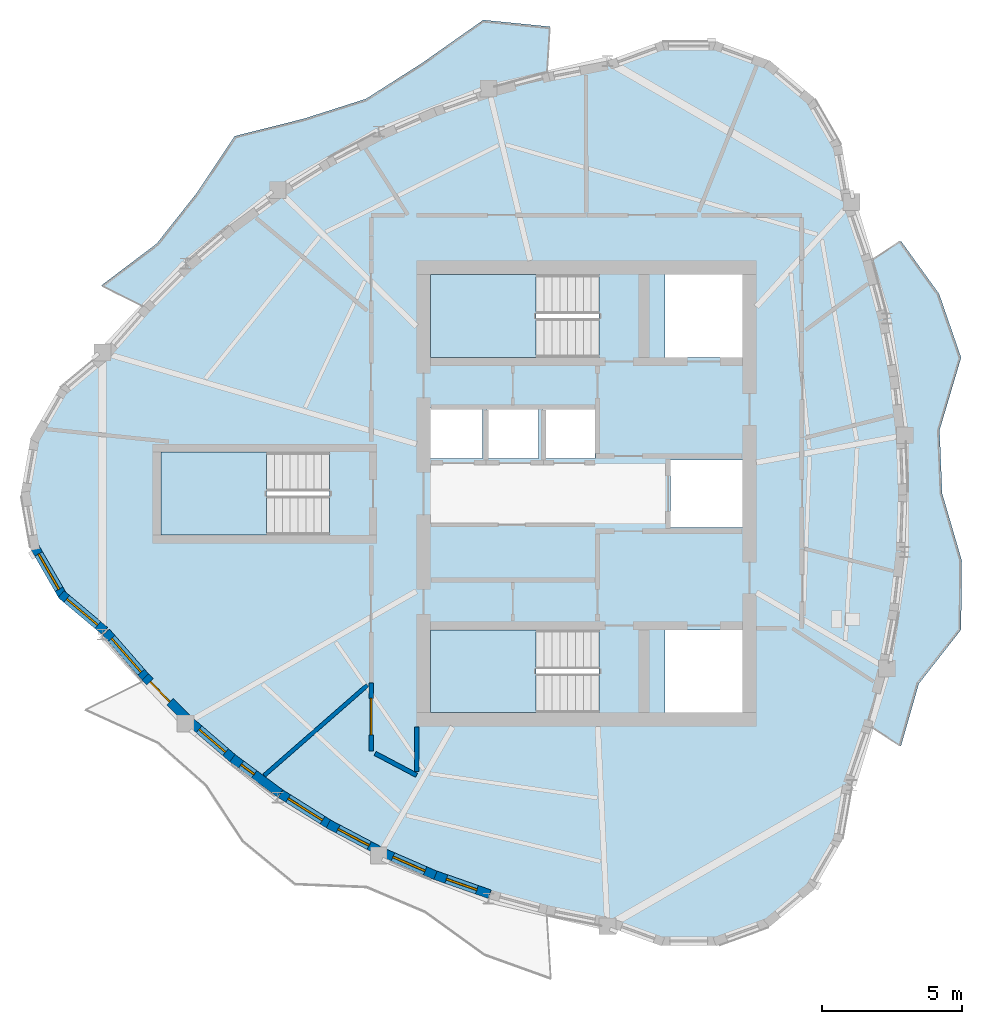
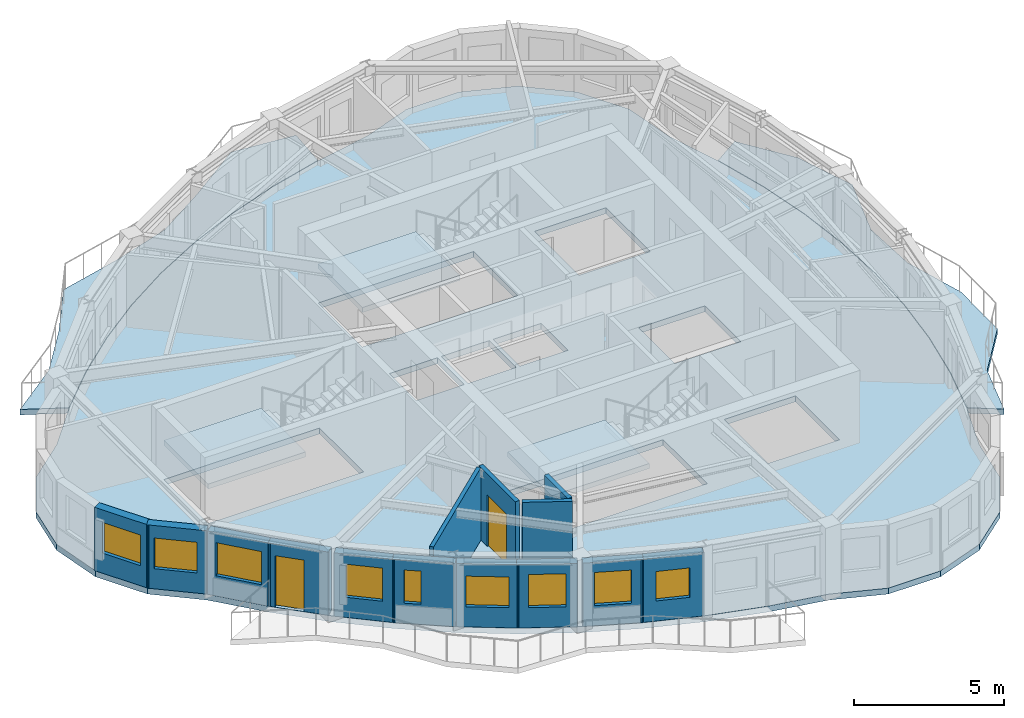
# One storey, part 2 of 11: 14 walls, 9 windows, 6 slabs, 2 doors, 11 openings, 3 elements without a shape of their own.
"""IFC4 building model written with IfcOpenShell, lengths in metres."""

from ifc_helpers import new_model, si_unit, direction, frame, frame_2d, origin, place, context, subcontext, project, spatial, polyline, rectangle, outline, extrude, source, transform, mapped, material, layer, layer_set, type_object, element, fill, aggregate, save


model = new_model("IFC4")

# Units and contexts
model_context = context("Model", 3, precision=1e-05, world=origin(), true_north=direction((0.0, 1.0)))
body_context = subcontext(model_context, "Body", "Model", "MODEL_VIEW")
ifc_project = project(units=[si_unit("LENGTHUNIT", "METRE"), si_unit("AREAUNIT", "SQUARE_METRE"), si_unit("VOLUMEUNIT", "CUBIC_METRE"), si_unit("PLANEANGLEUNIT", "RADIAN"), si_unit("MASSUNIT", "GRAM", prefix="KILO")], contexts=[model_context])

# Site, building, storey
site_placement = place(None, origin())
site = spatial("IfcSite", under=ifc_project, at=site_placement, CompositionType="ELEMENT")
building_placement = place(site_placement, origin())
building = spatial("IfcBuilding", under=site, at=building_placement, Name="Qafzar Sky-Pleat Residences", CompositionType="ELEMENT")
storey_placement = place(building_placement, frame((0.0, 0.0, 234.0)))
storey = spatial("IfcBuildingStorey", under=building, at=storey_placement, Name="L70", CompositionType="ELEMENT", Elevation=234.0)

# Slabs
ifc_material_1 = material(Name="Concrete C40/50", Category="concrete")
ifc_layer_1 = layer(ifc_material_1, 0.219970703125)
ifc_layer_set_1 = layer_set([ifc_layer_1], Name="Concrete C40/50")
slab_type_1 = type_object("IfcSlabType", Name="SLAB-BAL-220", PredefinedType="USERDEFINED", material=ifc_layer_set_1)
slab_1_placement = place(storey_placement, frame((0.0, 0.0, -0.219970703125)))
element("IfcSlab", 1, at=slab_1_placement, inside=storey, type_object=slab_type_1, Name="L70 Pleated Stone Balcony 1", ObjectType="BALCONY", PredefinedType="USERDEFINED", context=body_context, shape_type="SweptSolid", body=[
    extrude(outline(polyline([(41.068603515625, 19.7646484375), (41.463623046875, 21.843017578125), (41.700927734375, 23.92138671875), (41.77978515625, 26.0), (41.700927734375, 28.07861328125), (41.463623046875, 30.156982421875), (41.068603515625, 32.2353515625), (40.51513671875, 34.3134765625), (41.54638671875, 34.99853515625), (42.907958984375, 33.113037109375), (43.690673828125, 30.8447265625), (42.9248046875, 28.26416015625), (43.017822265625, 26.0), (43.7158203125, 23.61572265625), (43.690673828125, 21.1552734375), (42.185791015625, 19.2314453125), (41.54638671875, 17.00146484375), (40.51513671875, 17.6865234375), (41.068603515625, 19.7646484375)])), origin(), (0.0, 0.0, 1.0), 0.219970703125),
])
slab_2_placement = place(storey_placement, frame((0.0, 0.0, -0.219970703125)))
element("IfcSlab", 2, at=slab_2_placement, inside=storey, type_object=slab_type_1, Name="L70 Pleated Stone Balcony 2", ObjectType="BALCONY", PredefinedType="USERDEFINED", context=body_context, shape_type="SweptSolid", body=[
    extrude(outline(polyline([(26.86572265625, 40.435302734375), (24.8681640625, 39.73828125), (22.94970703125, 38.904541015625), (21.110107421875, 37.93359375), (19.349609375, 36.825927734375), (17.668212890625, 35.581298828125), (16.06591796875, 34.199951171875), (14.542724609375, 32.681640625), (13.075439453125, 33.41015625), (15.04541015625, 34.901123046875), (16.467041015625, 36.6953125), (17.82763671875, 38.730712890625), (20.291015625, 39.352294921875), (22.498291015625, 40.057373046875), (24.504150390625, 41.33544921875), (26.6748046875, 42.865966796875), (29.044921875, 42.630126953125), (28.942138671875, 40.995361328125), (26.86572265625, 40.435302734375)])), origin(), (0.0, 0.0, 1.0), 0.219970703125),
])
ifc_layer_2 = layer(ifc_material_1, 0.239990234375)
ifc_layer_set_2 = layer_set([ifc_layer_2], Name="Concrete C40/50")
slab_type_2 = type_object("IfcSlabType", Name="SLAB-FLR-240", PredefinedType="FLOOR", material=ifc_layer_set_2)
slab_3_placement = place(storey_placement, frame((0.0, 0.0, -0.239990234375)))
element("IfcSlab", 3, at=slab_3_placement, inside=storey, type_object=slab_type_2, Name="L70 Structural Floor Slab", PredefinedType="FLOOR", context=body_context, shape_type="SweptSolid", body=[
    extrude(outline(polyline([(13.110107421875, 31.02294921875), (11.56689453125, 29.728271484375), (10.559814453125, 27.983642578125), (10.2099609375, 26.0), (10.559814453125, 24.016357421875), (11.56689453125, 22.271728515625), (13.110107421875, 20.97705078125), (14.553466796875, 19.323486328125), (16.07568359375, 17.806884765625), (17.677001953125, 16.4267578125), (19.35693359375, 15.183349609375), (21.1162109375, 14.07666015625), (22.9541015625, 13.106689453125), (24.870849609375, 12.273193359375), (26.86669921875, 11.57666015625), (28.94140625, 11.0166015625), (31.094970703125, 10.593505859375), (32.98779296875, 9.904541015625), (35.002197265625, 9.904541015625), (36.89501953125, 10.593505859375), (38.43798828125, 11.88818359375), (39.4453125, 13.632568359375), (39.794921875, 15.616455078125), (40.505126953125, 17.693115234375), (41.0576171875, 19.769775390625), (41.4521484375, 21.846435546875), (41.68896484375, 23.92333984375), (41.767822265625, 26.0), (41.68896484375, 28.07666015625), (41.4521484375, 30.153564453125), (41.0576171875, 32.230224609375), (40.505126953125, 34.306884765625), (39.794921875, 36.383544921875), (39.4453125, 38.367431640625), (38.43798828125, 40.11181640625), (36.89501953125, 41.406494140625), (35.002197265625, 42.095458984375), (32.98779296875, 42.095458984375), (31.094970703125, 41.406494140625), (28.94140625, 40.9833984375), (26.86669921875, 40.42333984375), (24.870849609375, 39.726806640625), (22.9541015625, 38.893310546875), (21.1162109375, 37.92333984375), (19.35693359375, 36.816650390625), (17.677001953125, 35.5732421875), (16.07568359375, 34.193115234375), (14.553466796875, 32.676513671875), (13.110107421875, 31.02294921875)]), holes=[polyline([(30.797119140625, 21.14990234375), (24.800048828125, 21.14990234375), (24.800048828125, 18.199951171875), (30.797119140625, 18.199951171875), (30.797119140625, 21.14990234375)]), polyline([(30.797119140625, 33.800048828125), (24.800048828125, 33.800048828125), (24.800048828125, 30.85009765625), (30.797119140625, 30.85009765625), (30.797119140625, 33.800048828125)]), polyline([(21.197021484375, 27.47509765625), (15.199951171875, 27.47509765625), (15.199951171875, 24.52490234375), (21.197021484375, 24.52490234375), (21.197021484375, 27.47509765625)]), polyline([(24.800048828125, 27.25), (26.64990234375, 27.25), (26.64990234375, 29.050048828125), (24.800048828125, 29.050048828125), (24.800048828125, 27.25)]), polyline([(26.800048828125, 27.25), (28.64990234375, 27.25), (28.64990234375, 29.050048828125), (26.800048828125, 29.050048828125), (26.800048828125, 27.25)]), polyline([(28.800048828125, 27.25), (30.64990234375, 27.25), (30.64990234375, 29.050048828125), (28.800048828125, 29.050048828125), (28.800048828125, 27.25)]), polyline([(33.14990234375, 18.199951171875), (35.89990234375, 18.199951171875), (35.89990234375, 21.14990234375), (33.14990234375, 21.14990234375), (33.14990234375, 18.199951171875)]), polyline([(33.14990234375, 30.85009765625), (35.89990234375, 30.85009765625), (35.89990234375, 33.800048828125), (33.14990234375, 33.800048828125), (33.14990234375, 30.85009765625)]), polyline([(33.35009765625, 24.800048828125), (35.89990234375, 24.800048828125), (35.89990234375, 27.199951171875), (33.35009765625, 27.199951171875), (33.35009765625, 24.800048828125)])]), origin(), (0.0, 0.0, 1.0), 0.239990234375),
])

# Stair, slab
stair_type = type_object("IfcStairType", Name="STAIR-H320", PredefinedType="HALF_TURN_STAIR", material=ifc_material_1)
stair_1_placement = place(storey_placement, origin())
stair_1 = element("IfcStair", 4, at=stair_1_placement, inside=storey, type_object=stair_type, Name="L70 Protected Exit Stair ST1", PredefinedType="HALF_TURN_STAIR")
ifc_layer_3 = layer(ifc_material_1, 0.199951171875)
ifc_layer_set_3 = layer_set([ifc_layer_3], Name="Concrete C40/50")
slab_type_3 = type_object("IfcSlabType", Name="SLAB-LANDING-200", PredefinedType="LANDING", material=ifc_layer_set_3)
slab_4_placement = place(storey_placement, frame((0.0, 0.0, 1.39990234375)))
slab_4 = element("IfcSlab", 5, at=slab_4_placement, type_object=slab_type_3, Name="ST1 landing 1", PredefinedType="LANDING", context=body_context, shape_type="SweptSolid", body=[
    extrude(outline(polyline([(28.56005859375, 21.14990234375), (24.800048828125, 21.14990234375), (24.800048828125, 18.199951171875), (28.56005859375, 18.199951171875), (28.56005859375, 21.14990234375)])), origin(), (0.0, 0.0, 1.0), 0.2001953125),
])
aggregate(stair_1, [slab_4])

stair_2_placement = place(storey_placement, origin())
stair_2 = element("IfcStair", 6, at=stair_2_placement, inside=storey, type_object=stair_type, Name="L70 Protected Exit Stair ST2", PredefinedType="HALF_TURN_STAIR")
slab_5_placement = place(storey_placement, frame((0.0, 0.0, 1.39990234375)))
slab_5 = element("IfcSlab", 7, at=slab_5_placement, type_object=slab_type_3, Name="ST2 landing 1", PredefinedType="LANDING", context=body_context, shape_type="SweptSolid", body=[
    extrude(outline(polyline([(28.56005859375, 33.800048828125), (24.800048828125, 33.800048828125), (24.800048828125, 30.85009765625), (28.56005859375, 30.85009765625), (28.56005859375, 33.800048828125)])), origin(), (0.0, 0.0, 1.0), 0.2001953125),
])
aggregate(stair_2, [slab_5])

stair_3_placement = place(storey_placement, origin())
stair_3 = element("IfcStair", 8, at=stair_3_placement, inside=storey, type_object=stair_type, Name="L70 Protected Exit Stair ST3", PredefinedType="HALF_TURN_STAIR")
slab_6_placement = place(storey_placement, frame((0.0, 0.0, 1.39990234375)))
slab_6 = element("IfcSlab", 9, at=slab_6_placement, type_object=slab_type_3, Name="ST3 landing 1", PredefinedType="LANDING", context=body_context, shape_type="SweptSolid", body=[
    extrude(outline(polyline([(18.9599609375, 27.47509765625), (15.199951171875, 27.47509765625), (15.199951171875, 24.52490234375), (18.9599609375, 24.52490234375), (18.9599609375, 27.47509765625)])), origin(), (0.0, 0.0, 1.0), 0.2001953125),
])
aggregate(stair_3, [slab_6])

# Wall, opening, door
ifc_material_2 = material(Name="Acoustic gypsum plasterboard partition", Category="gypsum")
ifc_layer_4 = layer(ifc_material_2, 0.159912109375)
ifc_layer_set_4 = layer_set([ifc_layer_4], Name="Acoustic gypsum plasterboard partition")
wall_type_1 = type_object("IfcWallType", Name="PART-COR-160", PredefinedType="PARTITIONING", material=ifc_layer_set_4)
wall_1_placement = place(storey_placement, frame((22.679931640625, 19.256103515625, 0.0), z_axis=(0.0, 0.0, 1.0), x_axis=(0.0, -1.0, 0.0)))
wall_1 = element("IfcWall", 10, at=wall_1_placement, inside=storey, type_object=wall_type_1, Name="L70 Partition Wall PART-L70-PW-009", PredefinedType="PARTITIONING", context=body_context, shape_type="SweptSolid", body=[
    extrude(rectangle(XDim=2.43017578125, YDim=0.159912109375, at=frame_2d((1.215087890625, 0.0))), origin(), (0.0, 0.0, 1.0), 2.9599609375),
])
opening_1_placement = place(wall_1_placement, frame((0.547607421875, 0.0, 0.0)))
opening_1 = element("IfcOpeningElement", 11, at=opening_1_placement, cuts=wall_1, Name="Opening ID-05", PredefinedType="OPENING", context=body_context, shape_type="SweptSolid", body=[
    extrude(rectangle(XDim=1.300048828125, YDim=2.10009765625, at=frame_2d((0.64990234375, 1.050048828125))), frame((0.0, 0.08984375, 0.0), z_axis=(0.0, -1.0, 0.0), x_axis=(1.0, 0.0, 0.0)), (0.0, 0.0, 1.0), 0.179931640625),
])
ifc_material_3 = material(Name="Timber-faced fire door", Category="wood")
door_type_1 = type_object("IfcDoorType", Name="DR-LNG-1300", OperationType="DOUBLE_DOOR_SINGLE_SWING", PredefinedType="DOOR", material=ifc_material_3)
shared_shape_1 = source(origin(), body_context, "Body", "SweptSolid", [
    extrude(rectangle(XDim=1.300048828125, YDim=2.10009765625, at=frame_2d((0.64990234375, 1.050048828125))), frame((0.0, 0.02490234375, 0.0), z_axis=(0.0, -1.0, 0.0), x_axis=(1.0, 0.0, 0.0)), (0.0, 0.0, 1.0), 0.050048828125),
])
door_1_placement = place(opening_1_placement, origin())
door_1 = element("IfcDoor", 12, at=door_1_placement, inside=storey, type_object=door_type_1, Name="L70 Academic Seminar Room Door", OperationType="DOUBLE_DOOR_SINGLE_SWING", OverallHeight=2.10009765625, OverallWidth=1.300048828125, PredefinedType="DOOR", context=body_context, shape_type="MappedRepresentation", body=[
    mapped(shared_shape_1, transform((0.0, 0.0, 0.0), x_axis=(1.0, 0.0, 0.0), y_axis=(0.0, 1.0, 0.0), z_axis=(0.0, 0.0, 1.0), scale=1.0)),
])
fill(opening_1, door_1)

# Walls
wall_2_placement = place(storey_placement, frame((22.8212890625, 16.749267578125, 0.0), z_axis=(0.0, 0.0, 1.0), x_axis=(0.884429955183, -0.466672962979, 0.0)))
element("IfcWall", 13, at=wall_2_placement, inside=storey, type_object=wall_type_1, Name="L70 Partition Wall PART-L70-PW-022", PredefinedType="PARTITIONING", context=body_context, shape_type="SweptSolid", body=[
    extrude(rectangle(XDim=1.671875, YDim=0.159912109375, at=frame_2d((0.8359375, 0.0))), origin(), (0.0, 0.0, 1.0), 2.9599609375),
])
wall_3_placement = place(storey_placement, frame((24.300048828125, 16.109619140625, 0.0), z_axis=(0.0, 0.0, 1.0), x_axis=(0.0, 1.0, 0.0)))
element("IfcWall", 14, at=wall_3_placement, inside=storey, type_object=wall_type_1, Name="L70 Partition Wall PART-L70-PW-023", PredefinedType="PARTITIONING", context=body_context, shape_type="SweptSolid", body=[
    extrude(rectangle(XDim=1.582275390625, YDim=0.159912109375, at=frame_2d((0.791015625, 0.0))), origin(), (0.0, 0.0, 1.0), 2.9599609375),
])
ifc_layer_5 = layer(ifc_material_2, 0.14501953125)
ifc_layer_set_5 = layer_set([ifc_layer_5], Name="Acoustic gypsum plasterboard partition")
wall_type_2 = type_object("IfcWallType", Name="PART-UNIT-145", PredefinedType="PARTITIONING", material=ifc_layer_set_5)
wall_4_placement = place(storey_placement, frame((18.87744140625, 15.96533203125, 0.0), z_axis=(0.0, 0.0, 1.0), x_axis=(0.752716311779, 0.65834501136, 0.0)))
element("IfcWall", 15, at=wall_4_placement, inside=storey, type_object=wall_type_2, Name="L70 Partition Wall PART-L70-PW-013", PredefinedType="PARTITIONING", context=body_context, shape_type="SweptSolid", body=[
    extrude(rectangle(XDim=4.8740234375, YDim=0.14501953125, at=frame_2d((2.43701171875, 0.0))), origin(), (0.0, 0.0, 1.0), 2.9599609375),
])

# Wall, opening, window
ifc_material_4 = material(Name="Precast concrete C40/50 with honed Riyadh limestone", Category="concrete")
ifc_layer_6 = layer(ifc_material_4, 0.320068359375)
ifc_layer_set_6 = layer_set([ifc_layer_6], Name="Precast concrete C40/50 with honed Riyadh limestone")
wall_type_3 = type_object("IfcWallType", Name="WALL-EXT-320", PredefinedType="SOLIDWALL", material=ifc_layer_set_6)
wall_5_placement = place(storey_placement, frame((10.679443359375, 24.129150390625, 0.0), z_axis=(0.0, 0.0, 1.0), x_axis=(0.499995423472, -0.866028046028, 0.0)))
wall_5 = element("IfcWall", 16, at=wall_5_placement, inside=storey, type_object=wall_type_3, Name="L70 Limestone Facade Wall 5", PredefinedType="SOLIDWALL", context=body_context, shape_type="SweptSolid", body=[
    extrude(rectangle(XDim=2.09033203125, YDim=0.320068359375, at=frame_2d((1.045166015625, 0.0))), origin(), (0.0, 0.0, 1.0), 2.580078125),
])
opening_2_placement = place(wall_5_placement, frame((0.3203125, 0.0, 0.820068359375)))
opening_2 = element("IfcOpeningElement", 17, at=opening_2_placement, cuts=wall_5, Name="Opening WN-15", PredefinedType="OPENING", context=body_context, shape_type="SweptSolid", body=[
    extrude(rectangle(XDim=1.449951171875, YDim=1.25, at=frame_2d((0.72509765625, 0.625))), frame((0.0, 0.169921875, 0.0), z_axis=(0.0, -1.0, 0.0), x_axis=(1.0, 0.0, 0.0)), (0.0, 0.0, 1.0), 0.340087890625),
])
ifc_material_5 = material(Name="Solar-control low-E glass in bronze aluminium frame", Category="glass")
window_type_1 = type_object("IfcWindowType", Name="WIN-15", PartitioningType="SINGLE_PANEL", PredefinedType="WINDOW", material=ifc_material_5)
shared_shape_2 = source(origin(), body_context, "Body", "SweptSolid", [
    extrude(rectangle(XDim=1.449951171875, YDim=1.25, at=frame_2d((0.72509765625, 0.625))), frame((0.0, 0.030029296875, 0.0), z_axis=(0.0, -1.0, 0.0), x_axis=(1.0, 0.0, 0.0)), (0.0, 0.0, 1.0), 0.06005859375),
])
window_1_placement = place(opening_2_placement, origin())
window_1 = element("IfcWindow", 18, at=window_1_placement, inside=storey, type_object=window_type_1, Name="L70 Punched Facade Window 05", OverallHeight=1.25, OverallWidth=1.449951171875, PartitioningType="SINGLE_PANEL", PredefinedType="WINDOW", context=body_context, shape_type="MappedRepresentation", body=[
    mapped(shared_shape_2, transform((0.0, 0.0, 0.0), x_axis=(1.0, 0.0, 0.0), y_axis=(0.0, 1.0, 0.0), z_axis=(0.0, 0.0, 1.0), scale=1.0)),
])
fill(opening_2, window_1)

wall_6_placement = place(storey_placement, frame((11.640625, 22.418701171875, 0.0), z_axis=(0.0, 0.0, 1.0), x_axis=(0.766099948115, -0.642721455608, 0.0)))
wall_6 = element("IfcWall", 19, at=wall_6_placement, inside=storey, type_object=wall_type_3, Name="L70 Limestone Facade Wall 6", PredefinedType="SOLIDWALL", context=body_context, shape_type="SweptSolid", body=[
    extrude(rectangle(XDim=2.0322265625, YDim=0.320068359375, at=frame_2d((1.01611328125, 0.0))), origin(), (0.0, 0.0, 1.0), 2.580078125),
])
opening_3_placement = place(wall_6_placement, frame((0.26123046875, 0.0, 0.820068359375)))
opening_3 = element("IfcOpeningElement", 20, at=opening_3_placement, cuts=wall_6, Name="Opening WN-15", PredefinedType="OPENING", context=body_context, shape_type="SweptSolid", body=[
    extrude(rectangle(XDim=1.449951171875, YDim=1.25, at=frame_2d((0.72509765625, 0.625))), frame((0.0, 0.169921875, 0.0), z_axis=(0.0, -1.0, 0.0), x_axis=(1.0, 0.0, 0.0)), (0.0, 0.0, 1.0), 0.340087890625),
])
window_2_placement = place(opening_3_placement, origin())
window_2 = element("IfcWindow", 21, at=window_2_placement, inside=storey, type_object=window_type_1, Name="L70 Punched Facade Window 06", OverallHeight=1.25, OverallWidth=1.449951171875, PartitioningType="SINGLE_PANEL", PredefinedType="WINDOW", context=body_context, shape_type="MappedRepresentation", body=[
    mapped(shared_shape_2, transform((0.0, 0.0, 0.0), x_axis=(1.0, 0.0, 0.0), y_axis=(0.0, 1.0, 0.0), z_axis=(0.0, 0.0, 1.0), scale=1.0)),
])
fill(opening_3, window_2)

wall_7_placement = place(storey_placement, frame((13.24365234375, 21.0673828125, 0.0), z_axis=(0.0, 0.0, 1.0), x_axis=(0.657605974143, -0.753362052914, 0.0)))
wall_7 = element("IfcWall", 22, at=wall_7_placement, inside=storey, type_object=wall_type_3, Name="L70 Limestone Facade Wall 7", PredefinedType="SOLIDWALL", context=body_context, shape_type="SweptSolid", body=[
    extrude(rectangle(XDim=2.213134765625, YDim=0.320068359375, at=frame_2d((1.1064453125, 0.0))), origin(), (0.0, 0.0, 1.0), 2.580078125),
])
opening_4_placement = place(wall_7_placement, frame((0.29638671875, 0.0, 0.820068359375)))
opening_4 = element("IfcOpeningElement", 23, at=opening_4_placement, cuts=wall_7, Name="Opening WN-09", PredefinedType="OPENING", context=body_context, shape_type="SweptSolid", body=[
    extrude(rectangle(XDim=1.60009765625, YDim=1.35009765625, at=frame_2d((0.800048828125, 0.675048828125))), frame((0.0, 0.169921875, 0.0), z_axis=(0.0, -1.0, 0.0), x_axis=(1.0, 0.0, 0.0)), (0.0, 0.0, 1.0), 0.340087890625),
])
window_type_2 = type_object("IfcWindowType", Name="WIN-09", PartitioningType="DOUBLE_PANEL_VERTICAL", PredefinedType="WINDOW", material=ifc_material_5)
shared_shape_3 = source(origin(), body_context, "Body", "SweptSolid", [
    extrude(rectangle(XDim=1.60009765625, YDim=1.35009765625, at=frame_2d((0.800048828125, 0.675048828125))), frame((0.0, 0.030029296875, 0.0), z_axis=(0.0, -1.0, 0.0), x_axis=(1.0, 0.0, 0.0)), (0.0, 0.0, 1.0), 0.06005859375),
])
window_3_placement = place(opening_4_placement, origin())
window_3 = element("IfcWindow", 24, at=window_3_placement, inside=storey, type_object=window_type_2, Name="L70 Punched Facade Window 07", OverallHeight=1.35009765625, OverallWidth=1.60009765625, PartitioningType="SINGLE_PANEL", PredefinedType="WINDOW", context=body_context, shape_type="MappedRepresentation", body=[
    mapped(shared_shape_3, transform((0.0, 0.0, 0.0), x_axis=(1.0, 0.0, 0.0), y_axis=(0.0, 1.0, 0.0), z_axis=(0.0, 0.0, 1.0), scale=1.0)),
])
fill(opening_4, window_3)

# Wall, opening, door
wall_8_placement = place(storey_placement, frame((14.639404296875, 19.4638671875, 0.0), z_axis=(0.0, 0.0, 1.0), x_axis=(0.708386188287, -0.705825054985, 0.0)))
wall_8 = element("IfcWall", 25, at=wall_8_placement, inside=storey, type_object=wall_type_3, Name="L70 Limestone Facade Wall 8", PredefinedType="SOLIDWALL", context=body_context, shape_type="SweptSolid", body=[
    extrude(rectangle(XDim=2.09716796875, YDim=0.320068359375, at=frame_2d((1.048583984375, 0.0))), origin(), (0.0, 0.0, 1.0), 2.580078125),
])
opening_5_placement = place(wall_8_placement, frame((0.239990234375, 0.0, 0.0)))
opening_5 = element("IfcOpeningElement", 26, at=opening_5_placement, cuts=wall_8, Name="Opening ED-05", PredefinedType="OPENING", context=body_context, shape_type="SweptSolid", body=[
    extrude(rectangle(XDim=1.0, YDim=2.10009765625, at=frame_2d((0.5, 1.050048828125))), frame((0.0, 0.169921875, 0.0), z_axis=(0.0, -1.0, 0.0), x_axis=(1.0, 0.0, 0.0)), (0.0, 0.0, 1.0), 0.340087890625),
])
ifc_material_6 = material(Name="Glazed bronze aluminium door", Category="aluminium")
door_type_2 = type_object("IfcDoorType", Name="DR-BAL-1000", OperationType="NOTDEFINED", PredefinedType="DOOR", material=ifc_material_6)
shared_shape_4 = source(origin(), body_context, "Body", "SweptSolid", [
    extrude(rectangle(XDim=1.0, YDim=2.10009765625, at=frame_2d((0.5, 1.050048828125))), frame((0.0, 0.02490234375, 0.0), z_axis=(0.0, -1.0, 0.0), x_axis=(1.0, 0.0, 0.0)), (0.0, 0.0, 1.0), 0.050048828125),
])
door_2_placement = place(opening_5_placement, origin())
door_2 = element("IfcDoor", 27, at=door_2_placement, inside=storey, type_object=door_type_2, Name="L70 Glazed Balcony Door 3", OperationType="SINGLE_SWING_LEFT", OverallHeight=2.10009765625, OverallWidth=1.0, PredefinedType="DOOR", context=body_context, shape_type="MappedRepresentation", body=[
    mapped(shared_shape_4, transform((0.0, 0.0, 0.0), x_axis=(1.0, 0.0, 0.0), y_axis=(0.0, 1.0, 0.0), z_axis=(0.0, 0.0, 1.0), scale=1.0)),
])
fill(opening_5, door_2)

# Wall, opening, window
wall_9_placement = place(storey_placement, frame((16.248291015625, 17.869140625, 0.0), z_axis=(0.0, 0.0, 1.0), x_axis=(0.757506883098, -0.652827176257, 0.0)))
wall_9 = element("IfcWall", 28, at=wall_9_placement, inside=storey, type_object=wall_type_3, Name="L70 Limestone Facade Wall 9", PredefinedType="SOLIDWALL", context=body_context, shape_type="SweptSolid", body=[
    extrude(rectangle(XDim=2.061767578125, YDim=0.320068359375, at=frame_2d((1.03076171875, 0.0))), origin(), (0.0, 0.0, 1.0), 2.580078125),
])
opening_6_placement = place(wall_9_placement, frame((0.40087890625, 0.0, 0.820068359375)))
opening_6 = element("IfcOpeningElement", 29, at=opening_6_placement, cuts=wall_9, Name="Opening WN-11", PredefinedType="OPENING", context=body_context, shape_type="SweptSolid", body=[
    extrude(rectangle(XDim=1.25, YDim=1.35009765625, at=frame_2d((0.625, 0.675048828125))), frame((0.0, 0.169921875, 0.0), z_axis=(0.0, -1.0, 0.0), x_axis=(1.0, 0.0, 0.0)), (0.0, 0.0, 1.0), 0.340087890625),
])
window_type_3 = type_object("IfcWindowType", Name="WIN-11", PartitioningType="SINGLE_PANEL", PredefinedType="WINDOW", material=ifc_material_5)
shared_shape_5 = source(origin(), body_context, "Body", "SweptSolid", [
    extrude(rectangle(XDim=1.25, YDim=1.35009765625, at=frame_2d((0.625, 0.675048828125))), frame((0.0, 0.030029296875, 0.0), z_axis=(0.0, -1.0, 0.0), x_axis=(1.0, 0.0, 0.0)), (0.0, 0.0, 1.0), 0.06005859375),
])
window_4_placement = place(opening_6_placement, origin())
window_4 = element("IfcWindow", 30, at=window_4_placement, inside=storey, type_object=window_type_3, Name="L70 Punched Facade Window 09", OverallHeight=1.35009765625, OverallWidth=1.25, PartitioningType="SINGLE_PANEL", PredefinedType="WINDOW", context=body_context, shape_type="MappedRepresentation", body=[
    mapped(shared_shape_5, transform((0.0, 0.0, 0.0), x_axis=(1.0, 0.0, 0.0), y_axis=(0.0, 1.0, 0.0), z_axis=(0.0, 0.0, 1.0), scale=1.0)),
])
fill(opening_6, window_4)

wall_10_placement = place(storey_placement, frame((17.741455078125, 16.577880859375, 0.0), z_axis=(0.0, 0.0, 1.0), x_axis=(0.803860727082, -0.594817561489, 0.0)))
wall_10 = element("IfcWall", 31, at=wall_10_placement, inside=storey, type_object=wall_type_3, Name="L70 Limestone Facade Wall 10", PredefinedType="SOLIDWALL", context=body_context, shape_type="SweptSolid", body=[
    extrude(rectangle(XDim=2.108154296875, YDim=0.320068359375, at=frame_2d((1.05419921875, 0.0))), origin(), (0.0, 0.0, 1.0), 2.580078125),
])
opening_7_placement = place(wall_10_placement, frame((0.38525390625, 0.0, 0.820068359375)))
opening_7 = element("IfcOpeningElement", 32, at=opening_7_placement, cuts=wall_10, Name="Opening WN-17", PredefinedType="OPENING", context=body_context, shape_type="SweptSolid", body=[
    extrude(rectangle(XDim=0.580078125, YDim=1.35009765625, at=frame_2d((0.2900390625, 0.675048828125))), frame((0.0, 0.169921875, 0.0), z_axis=(0.0, -1.0, 0.0), x_axis=(1.0, 0.0, 0.0)), (0.0, 0.0, 1.0), 0.340087890625),
])
window_type_4 = type_object("IfcWindowType", Name="WIN-17", PartitioningType="SINGLE_PANEL", PredefinedType="WINDOW", material=ifc_material_5)
shared_shape_6 = source(origin(), body_context, "Body", "SweptSolid", [
    extrude(rectangle(XDim=0.580078125, YDim=1.35009765625, at=frame_2d((0.2900390625, 0.675048828125))), frame((0.0, 0.030029296875, 0.0), z_axis=(0.0, -1.0, 0.0), x_axis=(1.0, 0.0, 0.0)), (0.0, 0.0, 1.0), 0.06005859375),
])
window_5_placement = place(opening_7_placement, origin())
window_5 = element("IfcWindow", 33, at=window_5_placement, inside=storey, type_object=window_type_4, Name="L70 Punched Facade Window 10", OverallHeight=1.35009765625, OverallWidth=0.580078125, PartitioningType="SINGLE_PANEL", PredefinedType="WINDOW", context=body_context, shape_type="MappedRepresentation", body=[
    mapped(shared_shape_6, transform((0.0, 0.0, 0.0), x_axis=(1.0, 0.0, 0.0), y_axis=(0.0, 1.0, 0.0), z_axis=(0.0, 0.0, 1.0), scale=1.0)),
])
fill(opening_7, window_5)

wall_11_placement = place(storey_placement, frame((19.458984375, 15.30810546875, 0.0), z_axis=(0.0, 0.0, 1.0), x_axis=(0.846450593439, -0.532467269291, 0.0)))
wall_11 = element("IfcWall", 34, at=wall_11_placement, inside=storey, type_object=wall_type_3, Name="L70 Limestone Facade Wall 11", PredefinedType="SOLIDWALL", context=body_context, shape_type="SweptSolid", body=[
    extrude(rectangle(XDim=2.09619140625, YDim=0.320068359375, at=frame_2d((1.048095703125, 0.0))), origin(), (0.0, 0.0, 1.0), 2.580078125),
])
opening_8_placement = place(wall_11_placement, frame((0.31298828125, 0.0, 0.820068359375)))
opening_8 = element("IfcOpeningElement", 35, at=opening_8_placement, cuts=wall_11, Name="Opening WN-15", PredefinedType="OPENING", context=body_context, shape_type="SweptSolid", body=[
    extrude(rectangle(XDim=1.449951171875, YDim=1.25, at=frame_2d((0.72509765625, 0.625))), frame((0.0, 0.169921875, 0.0), z_axis=(0.0, -1.0, 0.0), x_axis=(1.0, 0.0, 0.0)), (0.0, 0.0, 1.0), 0.340087890625),
])
window_6_placement = place(opening_8_placement, origin())
window_6 = element("IfcWindow", 36, at=window_6_placement, inside=storey, type_object=window_type_1, Name="L70 Punched Facade Window 11", OverallHeight=1.25, OverallWidth=1.449951171875, PartitioningType="SINGLE_PANEL", PredefinedType="WINDOW", context=body_context, shape_type="MappedRepresentation", body=[
    mapped(shared_shape_2, transform((0.0, 0.0, 0.0), x_axis=(1.0, 0.0, 0.0), y_axis=(0.0, 1.0, 0.0), z_axis=(0.0, 0.0, 1.0), scale=1.0)),
])
fill(opening_8, window_6)

wall_12_placement = place(storey_placement, frame((21.1572265625, 14.23583984375, 0.0), z_axis=(0.0, 0.0, 1.0), x_axis=(0.884379226496, -0.466769090388, 0.0)))
wall_12 = element("IfcWall", 37, at=wall_12_placement, inside=storey, type_object=wall_type_3, Name="L70 Limestone Facade Wall 12", PredefinedType="SOLIDWALL", context=body_context, shape_type="SweptSolid", body=[
    extrude(rectangle(XDim=2.0263671875, YDim=0.320068359375, at=frame_2d((1.01318359375, 0.0))), origin(), (0.0, 0.0, 1.0), 2.580078125),
])
opening_9_placement = place(wall_12_placement, frame((0.39306640625, 0.0, 0.820068359375)))
opening_9 = element("IfcOpeningElement", 38, at=opening_9_placement, cuts=wall_12, Name="Opening WN-11", PredefinedType="OPENING", context=body_context, shape_type="SweptSolid", body=[
    extrude(rectangle(XDim=1.25, YDim=1.35009765625, at=frame_2d((0.625, 0.675048828125))), frame((0.0, 0.169921875, 0.0), z_axis=(0.0, -1.0, 0.0), x_axis=(1.0, 0.0, 0.0)), (0.0, 0.0, 1.0), 0.340087890625),
])
window_7_placement = place(opening_9_placement, origin())
window_7 = element("IfcWindow", 39, at=window_7_placement, inside=storey, type_object=window_type_3, Name="L70 Punched Facade Window 12", OverallHeight=1.35009765625, OverallWidth=1.25, PartitioningType="SINGLE_PANEL", PredefinedType="WINDOW", context=body_context, shape_type="MappedRepresentation", body=[
    mapped(shared_shape_5, transform((0.0, 0.0, 0.0), x_axis=(1.0, 0.0, 0.0), y_axis=(0.0, 1.0, 0.0), z_axis=(0.0, 0.0, 1.0), scale=1.0)),
])
fill(opening_9, window_7)

wall_13_placement = place(storey_placement, frame((23.100341796875, 13.217529296875, 0.0), z_axis=(0.0, 0.0, 1.0), x_axis=(0.917056725387, -0.398756771005, 0.0)))
wall_13 = element("IfcWall", 40, at=wall_13_placement, inside=storey, type_object=wall_type_3, Name="L70 Limestone Facade Wall 13", PredefinedType="SOLIDWALL", context=body_context, shape_type="SweptSolid", body=[
    extrude(rectangle(XDim=2.0380859375, YDim=0.320068359375, at=frame_2d((1.01904296875, 0.0))), origin(), (0.0, 0.0, 1.0), 2.580078125),
])
opening_10_placement = place(wall_13_placement, frame((0.38916015625, 0.0, 0.820068359375)))
opening_10 = element("IfcOpeningElement", 41, at=opening_10_placement, cuts=wall_13, Name="Opening WN-11", PredefinedType="OPENING", context=body_context, shape_type="SweptSolid", body=[
    extrude(rectangle(XDim=1.25, YDim=1.35009765625, at=frame_2d((0.625, 0.675048828125))), frame((0.0, 0.169921875, 0.0), z_axis=(0.0, -1.0, 0.0), x_axis=(1.0, 0.0, 0.0)), (0.0, 0.0, 1.0), 0.340087890625),
])
window_8_placement = place(opening_10_placement, origin())
window_8 = element("IfcWindow", 42, at=window_8_placement, inside=storey, type_object=window_type_3, Name="L70 Punched Facade Window 13", OverallHeight=1.35009765625, OverallWidth=1.25, PartitioningType="SINGLE_PANEL", PredefinedType="WINDOW", context=body_context, shape_type="MappedRepresentation", body=[
    mapped(shared_shape_5, transform((0.0, 0.0, 0.0), x_axis=(1.0, 0.0, 0.0), y_axis=(0.0, 1.0, 0.0), z_axis=(0.0, 0.0, 1.0), scale=1.0)),
])
fill(opening_10, window_8)

wall_14_placement = place(storey_placement, frame((24.8876953125, 12.43701171875, 0.0), z_axis=(0.0, 0.0, 1.0), x_axis=(0.944134736434, -0.329559705453, 0.0)))
wall_14 = element("IfcWall", 43, at=wall_14_placement, inside=storey, type_object=wall_type_3, Name="L70 Limestone Facade Wall 14", PredefinedType="SOLIDWALL", context=body_context, shape_type="SweptSolid", body=[
    extrude(rectangle(XDim=2.132080078125, YDim=0.320068359375, at=frame_2d((1.06591796875, 0.0))), origin(), (0.0, 0.0, 1.0), 2.580078125),
])
opening_11_placement = place(wall_14_placement, frame((0.5009765625, 0.0, 0.820068359375)))
opening_11 = element("IfcOpeningElement", 44, at=opening_11_placement, cuts=wall_14, Name="Opening WN-16", PredefinedType="OPENING", context=body_context, shape_type="SweptSolid", body=[
    extrude(rectangle(XDim=1.14990234375, YDim=1.199951171875, at=frame_2d((0.574951171875, 0.60009765625))), frame((0.0, 0.169921875, 0.0), z_axis=(0.0, -1.0, 0.0), x_axis=(1.0, 0.0, 0.0)), (0.0, 0.0, 1.0), 0.340087890625),
])
window_type_5 = type_object("IfcWindowType", Name="WIN-16", PartitioningType="SINGLE_PANEL", PredefinedType="WINDOW", material=ifc_material_5)
shared_shape_7 = source(origin(), body_context, "Body", "SweptSolid", [
    extrude(rectangle(XDim=1.14990234375, YDim=1.199951171875, at=frame_2d((0.574951171875, 0.60009765625))), frame((0.0, 0.030029296875, 0.0), z_axis=(0.0, -1.0, 0.0), x_axis=(1.0, 0.0, 0.0)), (0.0, 0.0, 1.0), 0.06005859375),
])
window_9_placement = place(opening_11_placement, origin())
window_9 = element("IfcWindow", 45, at=window_9_placement, inside=storey, type_object=window_type_5, Name="L70 Punched Facade Window 14", OverallHeight=1.199951171875, OverallWidth=1.14990234375, PartitioningType="SINGLE_PANEL", PredefinedType="WINDOW", context=body_context, shape_type="MappedRepresentation", body=[
    mapped(shared_shape_7, transform((0.0, 0.0, 0.0), x_axis=(1.0, 0.0, 0.0), y_axis=(0.0, 1.0, 0.0), z_axis=(0.0, 0.0, 1.0), scale=1.0)),
])
fill(opening_11, window_9)

save(model, "model.ifc")
